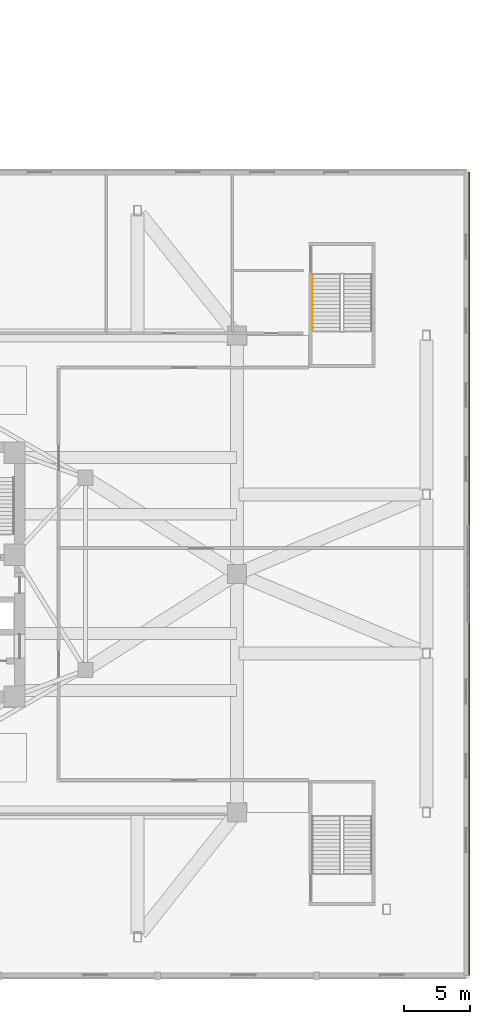
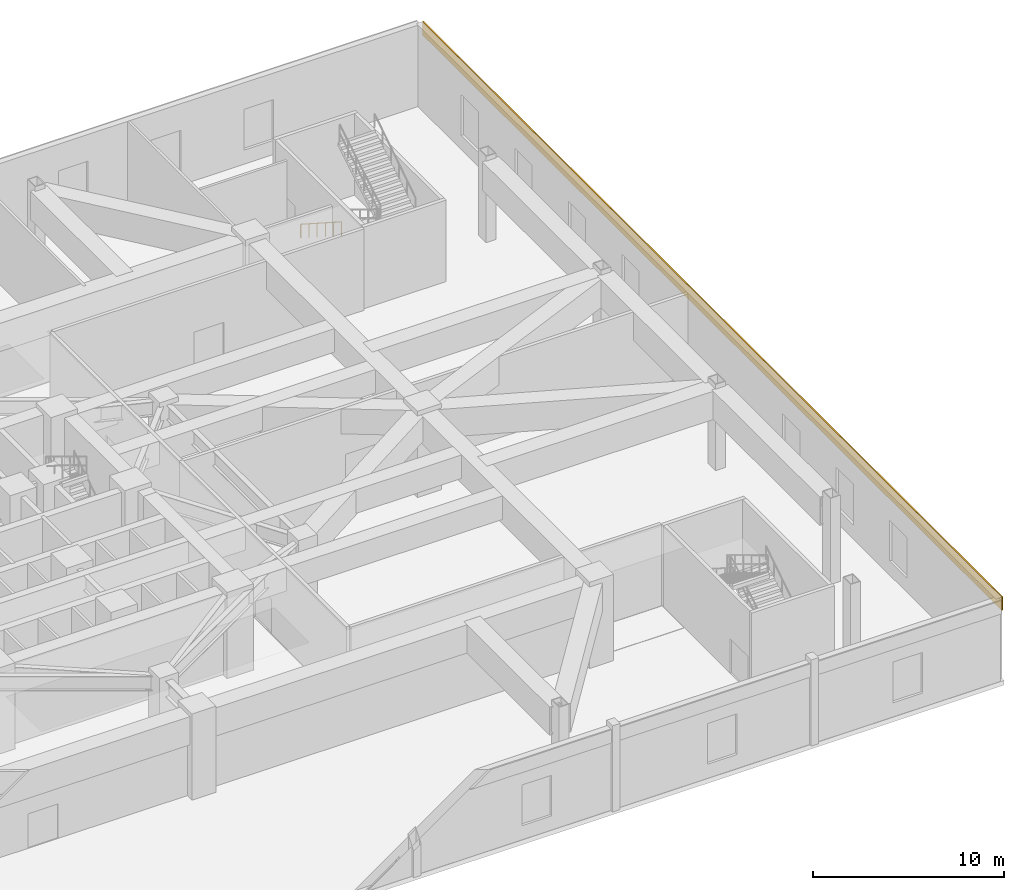
# One storey, part 22 of 23: 1 covering, 1 railing.
"""IFC4 building model written with IfcOpenShell, lengths in metres."""

from ifc_helpers import new_model, si_unit, direction, frame, origin, origin_2d, place, context, subcontext, project, spatial, polyline, rectangle, outline, extrude, material, layer, layer_set, type_object, element, save


model = new_model("IFC4")

# Units and contexts
model_context = context("Model", 3, precision=1e-05, world=origin(), true_north=direction((0.0, 1.0)))
body_context = subcontext(model_context, "Body", "Model", "MODEL_VIEW")
ifc_project = project(units=[si_unit("LENGTHUNIT", "METRE"), si_unit("AREAUNIT", "SQUARE_METRE"), si_unit("VOLUMEUNIT", "CUBIC_METRE"), si_unit("PLANEANGLEUNIT", "RADIAN"), si_unit("MASSUNIT", "GRAM", prefix="KILO")], contexts=[model_context])

# Site, building, storey
site_placement = place(None, origin())
site = spatial("IfcSite", under=ifc_project, at=site_placement, CompositionType="ELEMENT")
building_placement = place(site_placement, origin())
building = spatial("IfcBuilding", under=site, at=building_placement, Name="Apsidion Concourse Tower", CompositionType="ELEMENT")
storey_placement = place(building_placement, frame((0.0, 0.0, 6.0)))
storey = spatial("IfcBuildingStorey", under=building, at=storey_placement, Name="L01", CompositionType="ELEMENT", Elevation=6.0)

# Covering
ifc_material_1 = material(Name="Reconstituted limestone facade cladding", Category="masonry")
ifc_layer = layer(ifc_material_1, 0.080078125)
ifc_layer_set = layer_set([ifc_layer], Name="Reconstituted limestone facade cladding")
covering_type = type_object("IfcCoveringType", Name="COV-CLAD-80", PredefinedType="CLADDING", material=ifc_layer_set)
covering_placement = place(storey_placement, frame((0.0, 0.0, 4.35009765625)))
element("IfcCovering", 1, at=covering_placement, inside=storey, type_object=covering_type, Name="L01 Limestone Spandrel Cladding E", PredefinedType="CLADDING", context=body_context, shape_type="SweptSolid", body=[
    extrude(outline(polyline([(41.47998046875, 30.300048828125), (41.47998046875, -30.300048828125), (41.56005859375, -30.300048828125), (41.56005859375, 30.300048828125), (41.47998046875, 30.300048828125)])), origin(), (0.0, 0.0, 1.0), 0.849853515625),
])

# Railing
ifc_material_2 = material(Name="Brushed stainless steel 316", Category="steel")
railing_type = type_object("IfcRailingType", Name="RL-HAND-900", PredefinedType="HANDRAIL", material=ifc_material_2)
railing_placement = place(storey_placement, frame((29.699951171875, 22.60009765625, 0.171875)))
element("IfcRailing", 2, at=railing_placement, inside=storey, type_object=railing_type, Name="L01 ST-P4 stair handrail 1", PredefinedType="HANDRAIL", context=body_context, shape_type="SweptSolid", body=[
    extrude(rectangle(XDim=0.048095703125, YDim=0.048095703125, at=origin_2d()), frame((0.0, 0.0, 0.8759765625), z_axis=(0.0, -0.84102707462, 0.540993031153), x_axis=(1.0, 0.0, 0.0)), (0.0, 0.0, 1.0), 5.083251953125),
    extrude(rectangle(XDim=0.0419921875, YDim=0.0419921875, at=origin_2d()), origin(), (0.0, 0.0, 1.0), 0.851806640625),
    extrude(rectangle(XDim=0.0419921875, YDim=0.0419921875, at=origin_2d()), frame((0.0, -0.85498046875, 0.550048828125)), (0.0, 0.0, 1.0), 0.851806640625),
    extrude(rectangle(XDim=0.0419921875, YDim=0.0419921875, at=origin_2d()), frame((0.0, -1.7099609375, 1.10009765625)), (0.0, 0.0, 1.0), 0.851806640625),
    extrude(rectangle(XDim=0.0419921875, YDim=0.0419921875, at=origin_2d()), frame((0.0, -2.565185546875, 1.64990234375)), (0.0, 0.0, 1.0), 0.851806640625),
    extrude(rectangle(XDim=0.0419921875, YDim=0.0419921875, at=origin_2d()), frame((0.0, -3.420166015625, 2.199951171875)), (0.0, 0.0, 1.0), 0.851806640625),
    extrude(rectangle(XDim=0.0419921875, YDim=0.0419921875, at=origin_2d()), frame((0.0, -4.275146484375, 2.75)), (0.0, 0.0, 1.0), 0.851806640625),
])

save(model, "model.ifc")
